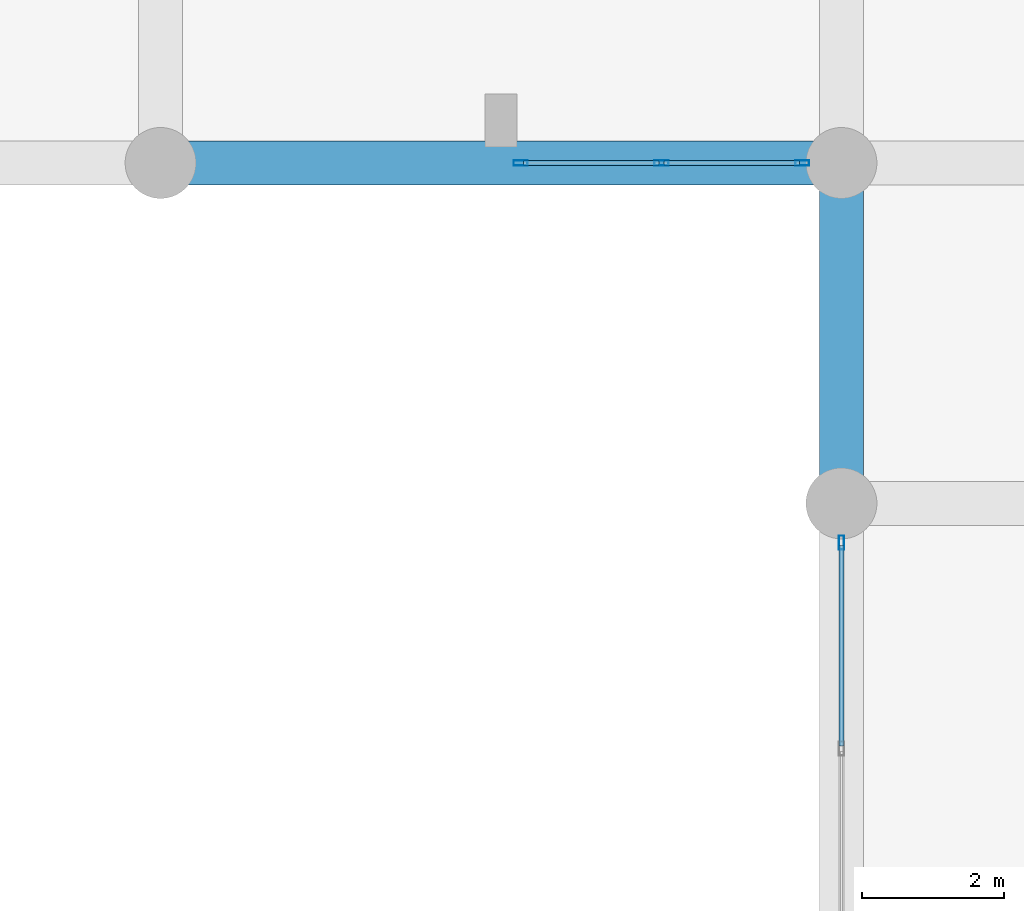
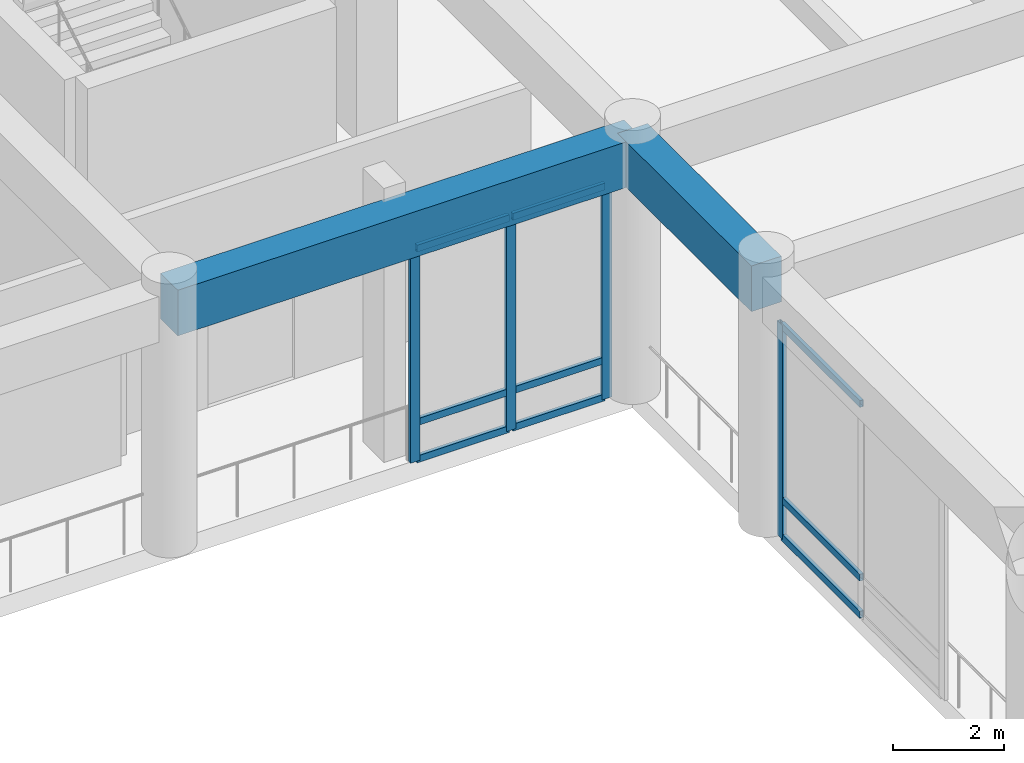
# One storey, part 34 of 87: 13 members, 2 beams, 2 elements without a shape of their own.
"""IFC4 building model written with IfcOpenShell, lengths in metres."""

from ifc_helpers import new_model, si_unit, direction, frame, origin, origin_2d, place, context, subcontext, project, spatial, rectangle, hollow_rectangle, extrude, material, layer, layer_set, material_profile, profile_set, type_object, element, aggregate, save


model = new_model("IFC4")

# Units and contexts
model_context = context("Model", 3, precision=1e-05, world=origin(), true_north=direction((0.0, 1.0)))
body_context = subcontext(model_context, "Body", "Model", "MODEL_VIEW")
ifc_project = project(units=[si_unit("LENGTHUNIT", "METRE"), si_unit("AREAUNIT", "SQUARE_METRE"), si_unit("VOLUMEUNIT", "CUBIC_METRE"), si_unit("PLANEANGLEUNIT", "RADIAN"), si_unit("MASSUNIT", "GRAM", prefix="KILO")], contexts=[model_context])

# Site, building, storey
site_placement = place(None, origin())
site = spatial("IfcSite", under=ifc_project, at=site_placement, CompositionType="ELEMENT")
building_placement = place(site_placement, origin())
building = spatial("IfcBuilding", under=site, at=building_placement, Name="Nakhvara Creek Congress Hotel", CompositionType="ELEMENT")
storey_placement = place(building_placement, origin())
storey = spatial("IfcBuildingStorey", under=building, at=storey_placement, Name="L00", CompositionType="ELEMENT", Elevation=0.0)

# Beams
ifc_material_1 = material(Name="Concrete C50/60", Category="concrete")
ifc_material_profile_1 = material_profile(ifc_material_1, rectangle(XDim=0.6201171875, YDim=1.0, at=origin_2d()), Name="RC-BM 620x1000", Category="LoadBearing")
ifc_profile_set_1 = profile_set([ifc_material_profile_1], Name="Concrete C50/60")
beam_type = type_object("IfcBeamType", Name="BM-RC-620X1000", PredefinedType="BEAM", material=ifc_profile_set_1)
beam_1_placement = place(storey_placement, frame((115.199951171875, 76.800048828125, 5.199951171875), z_axis=(1.0, 0.0, 0.0), x_axis=(0.0, 1.0, 0.0)))
element("IfcBeam", 1, at=beam_1_placement, inside=storey, type_object=beam_type, Name="Beam B16-L00-0879", PredefinedType="BEAM", context=body_context, shape_type="SweptSolid", body=[
    extrude(rectangle(XDim=0.6201171875, YDim=1.0, at=origin_2d()), origin(), (0.0, 0.0, 1.0), 9.60009765625),
])
beam_2_placement = place(storey_placement, frame((124.800048828125, 72.0, 5.199951171875), z_axis=(0.0, 1.0, 0.0), x_axis=(-1.0, 0.0, 0.0)))
element("IfcBeam", 2, at=beam_2_placement, inside=storey, type_object=beam_type, Name="Beam B16-L00-0896", PredefinedType="BEAM", context=body_context, shape_type="SweptSolid", body=[
    extrude(rectangle(XDim=0.6201171875, YDim=1.0, at=origin_2d()), origin(), (0.0, 0.0, 1.0), 4.800048828125),
])

# Curtain wall, members
ifc_material_2 = material(Name="Bronze-anodised aluminium AW-6063-T6 and double-silver low-E glass", Category="aluminium")
ifc_layer = layer(ifc_material_2, 0.199951171875)
ifc_layer_set = layer_set([ifc_layer], Name="Bronze-anodised aluminium AW-6063-T6 and double-silver low-E glass")
curtain_wall_type = type_object("IfcCurtainWallType", Name="CW-POD-STICK", PredefinedType="NOTDEFINED", material=ifc_layer_set)
curtain_wall_1_placement = place(storey_placement, origin())
curtain_wall_1 = element("IfcCurtainWall", 3, at=curtain_wall_1_placement, inside=storey, type_object=curtain_wall_type, Name="Curtain Wall CW010", PredefinedType="NOTDEFINED")
ifc_material_3 = material(Name="Bronze-anodised aluminium AW-6063-T6", Category="aluminium")
ifc_material_profile_2 = material_profile(ifc_material_3, hollow_rectangle(XDim=0.074951171875, YDim=0.199951171875, WallThickness=0.0048828125, at=origin_2d()), Name="ALU-MULL 75x200x5", Category="LoadBearing")
ifc_profile_set_2 = profile_set([ifc_material_profile_2], Name="Bronze-anodised aluminium AW-6063-T6")
member_type_1 = type_object("IfcMemberType", Name="CW-MULL-200", PredefinedType="MULLION", material=ifc_profile_set_2)
member_1_placement = place(storey_placement, frame((124.24755859375, 76.800048828125, 0.0), z_axis=(0.0, 0.0, 1.0), x_axis=(0.0, -1.0, 0.0)))
member_1 = element("IfcMember", 4, at=member_1_placement, type_object=member_type_1, Name="CW010 mullion 1", PredefinedType="MULLION", context=body_context, shape_type="SweptSolid", body=[
    extrude(hollow_rectangle(XDim=0.074951171875, YDim=0.199951171875, WallThickness=0.0048828125, at=origin_2d()), origin(), (0.0, 0.0, 1.0), 4.69189453125),
])
member_2_placement = place(storey_placement, frame((122.262451171875, 76.800048828125, 0.0), z_axis=(0.0, 0.0, 1.0), x_axis=(0.0, -1.0, 0.0)))
member_2 = element("IfcMember", 5, at=member_2_placement, type_object=member_type_1, Name="CW010 mullion 2", PredefinedType="MULLION", context=body_context, shape_type="SweptSolid", body=[
    extrude(hollow_rectangle(XDim=0.074951171875, YDim=0.199951171875, WallThickness=0.0048828125, at=origin_2d()), origin(), (0.0, 0.0, 1.0), 4.69189453125),
])
member_3_placement = place(storey_placement, frame((120.277587890625, 76.800048828125, 0.0), z_axis=(0.0, 0.0, 1.0), x_axis=(0.0, -1.0, 0.0)))
member_3 = element("IfcMember", 6, at=member_3_placement, type_object=member_type_1, Name="CW010 mullion 3", PredefinedType="MULLION", context=body_context, shape_type="SweptSolid", body=[
    extrude(hollow_rectangle(XDim=0.074951171875, YDim=0.199951171875, WallThickness=0.0048828125, at=origin_2d()), origin(), (0.0, 0.0, 1.0), 4.69189453125),
])

# Curtain wall, member
curtain_wall_2_placement = place(storey_placement, origin())
curtain_wall_2 = element("IfcCurtainWall", 7, at=curtain_wall_2_placement, inside=storey, type_object=curtain_wall_type, Name="Curtain Wall CW016", PredefinedType="NOTDEFINED")
member_4_placement = place(storey_placement, frame((124.800048828125, 71.447509765625, 0.0), z_axis=(0.0, 0.0, 1.0), x_axis=(-1.0, 0.0, 0.0)))
member_4 = element("IfcMember", 8, at=member_4_placement, type_object=member_type_1, Name="CW016 mullion 3", PredefinedType="MULLION", context=body_context, shape_type="SweptSolid", body=[
    extrude(hollow_rectangle(XDim=0.074951171875, YDim=0.199951171875, WallThickness=0.0048828125, at=origin_2d()), origin(), (0.0, 0.0, 1.0), 4.69189453125),
])

# Member
ifc_material_profile_3 = material_profile(ifc_material_3, hollow_rectangle(XDim=0.074951171875, YDim=0.14990234375, WallThickness=0.00390625, at=origin_2d()), Name="ALU-TRAN 75x150x4", Category="LoadBearing")
ifc_profile_set_3 = profile_set([ifc_material_profile_3], Name="Bronze-anodised aluminium AW-6063-T6")
member_type_2 = type_object("IfcMemberType", Name="CW-TRAN-150", PredefinedType="USERDEFINED", material=ifc_profile_set_3)
member_5_placement = place(storey_placement, frame((124.2099609375, 76.800048828125, 0.03759765625), z_axis=(-1.0, 0.0, 0.0), x_axis=(0.0, -1.0, 0.0)))
member_5 = element("IfcMember", 9, at=member_5_placement, type_object=member_type_2, Name="CW010 transom 1.1", ObjectType="TRANSOM", PredefinedType="USERDEFINED", context=body_context, shape_type="SweptSolid", body=[
    extrude(hollow_rectangle(XDim=0.074951171875, YDim=0.14990234375, WallThickness=0.00390625, at=origin_2d()), origin(), (0.0, 0.0, 1.0), 1.909912109375),
])

member_6_placement = place(storey_placement, frame((124.2099609375, 76.800048828125, 0.85009765625), z_axis=(-1.0, 0.0, 0.0), x_axis=(0.0, -1.0, 0.0)))
member_6 = element("IfcMember", 10, at=member_6_placement, type_object=member_type_2, Name="CW010 transom 1.2", ObjectType="TRANSOM", PredefinedType="USERDEFINED", context=body_context, shape_type="SweptSolid", body=[
    extrude(hollow_rectangle(XDim=0.074951171875, YDim=0.14990234375, WallThickness=0.00390625, at=origin_2d()), origin(), (0.0, 0.0, 1.0), 1.909912109375),
])

member_7_placement = place(storey_placement, frame((124.2099609375, 76.800048828125, 4.654541015625), z_axis=(-1.0, 0.0, 0.0), x_axis=(0.0, -1.0, 0.0)))
member_7 = element("IfcMember", 11, at=member_7_placement, type_object=member_type_2, Name="CW010 transom 1.3", ObjectType="TRANSOM", PredefinedType="USERDEFINED", context=body_context, shape_type="SweptSolid", body=[
    extrude(hollow_rectangle(XDim=0.074951171875, YDim=0.14990234375, WallThickness=0.00390625, at=origin_2d()), origin(), (0.0, 0.0, 1.0), 1.909912109375),
])

member_8_placement = place(storey_placement, frame((122.22509765625, 76.800048828125, 0.03759765625), z_axis=(-1.0, 0.0, 0.0), x_axis=(0.0, -1.0, 0.0)))
member_8 = element("IfcMember", 12, at=member_8_placement, type_object=member_type_2, Name="CW010 transom 2.1", ObjectType="TRANSOM", PredefinedType="USERDEFINED", context=body_context, shape_type="SweptSolid", body=[
    extrude(hollow_rectangle(XDim=0.074951171875, YDim=0.14990234375, WallThickness=0.00390625, at=origin_2d()), origin(), (0.0, 0.0, 1.0), 1.91015625),
])

member_9_placement = place(storey_placement, frame((122.22509765625, 76.800048828125, 0.85009765625), z_axis=(-1.0, 0.0, 0.0), x_axis=(0.0, -1.0, 0.0)))
member_9 = element("IfcMember", 13, at=member_9_placement, type_object=member_type_2, Name="CW010 transom 2.2", ObjectType="TRANSOM", PredefinedType="USERDEFINED", context=body_context, shape_type="SweptSolid", body=[
    extrude(hollow_rectangle(XDim=0.074951171875, YDim=0.14990234375, WallThickness=0.00390625, at=origin_2d()), origin(), (0.0, 0.0, 1.0), 1.91015625),
])

member_10_placement = place(storey_placement, frame((122.22509765625, 76.800048828125, 4.654541015625), z_axis=(-1.0, 0.0, 0.0), x_axis=(0.0, -1.0, 0.0)))
member_10 = element("IfcMember", 14, at=member_10_placement, type_object=member_type_2, Name="CW010 transom 2.3", ObjectType="TRANSOM", PredefinedType="USERDEFINED", context=body_context, shape_type="SweptSolid", body=[
    extrude(hollow_rectangle(XDim=0.074951171875, YDim=0.14990234375, WallThickness=0.00390625, at=origin_2d()), origin(), (0.0, 0.0, 1.0), 1.91015625),
])

aggregate(curtain_wall_1, [member_1, member_2, member_3, member_5, member_6, member_7, member_8, member_9, member_10])

member_11_placement = place(storey_placement, frame((124.800048828125, 68.580078125, 0.03759765625), z_axis=(0.0, 1.0, 0.0), x_axis=(-1.0, 0.0, 0.0)))
member_11 = element("IfcMember", 15, at=member_11_placement, type_object=member_type_2, Name="CW016 transom 2.1", ObjectType="TRANSOM", PredefinedType="USERDEFINED", context=body_context, shape_type="SweptSolid", body=[
    extrude(hollow_rectangle(XDim=0.074951171875, YDim=0.14990234375, WallThickness=0.00390625, at=origin_2d()), origin(), (0.0, 0.0, 1.0), 2.829833984375),
])

member_12_placement = place(storey_placement, frame((124.800048828125, 68.580078125, 0.85009765625), z_axis=(0.0, 1.0, 0.0), x_axis=(-1.0, 0.0, 0.0)))
member_12 = element("IfcMember", 16, at=member_12_placement, type_object=member_type_2, Name="CW016 transom 2.2", ObjectType="TRANSOM", PredefinedType="USERDEFINED", context=body_context, shape_type="SweptSolid", body=[
    extrude(hollow_rectangle(XDim=0.074951171875, YDim=0.14990234375, WallThickness=0.00390625, at=origin_2d()), origin(), (0.0, 0.0, 1.0), 2.829833984375),
])

member_13_placement = place(storey_placement, frame((124.800048828125, 68.580078125, 4.654541015625), z_axis=(0.0, 1.0, 0.0), x_axis=(-1.0, 0.0, 0.0)))
member_13 = element("IfcMember", 17, at=member_13_placement, type_object=member_type_2, Name="CW016 transom 2.3", ObjectType="TRANSOM", PredefinedType="USERDEFINED", context=body_context, shape_type="SweptSolid", body=[
    extrude(hollow_rectangle(XDim=0.074951171875, YDim=0.14990234375, WallThickness=0.00390625, at=origin_2d()), origin(), (0.0, 0.0, 1.0), 2.829833984375),
])

aggregate(curtain_wall_2, [member_4, member_11, member_12, member_13])

save(model, "model.ifc")
